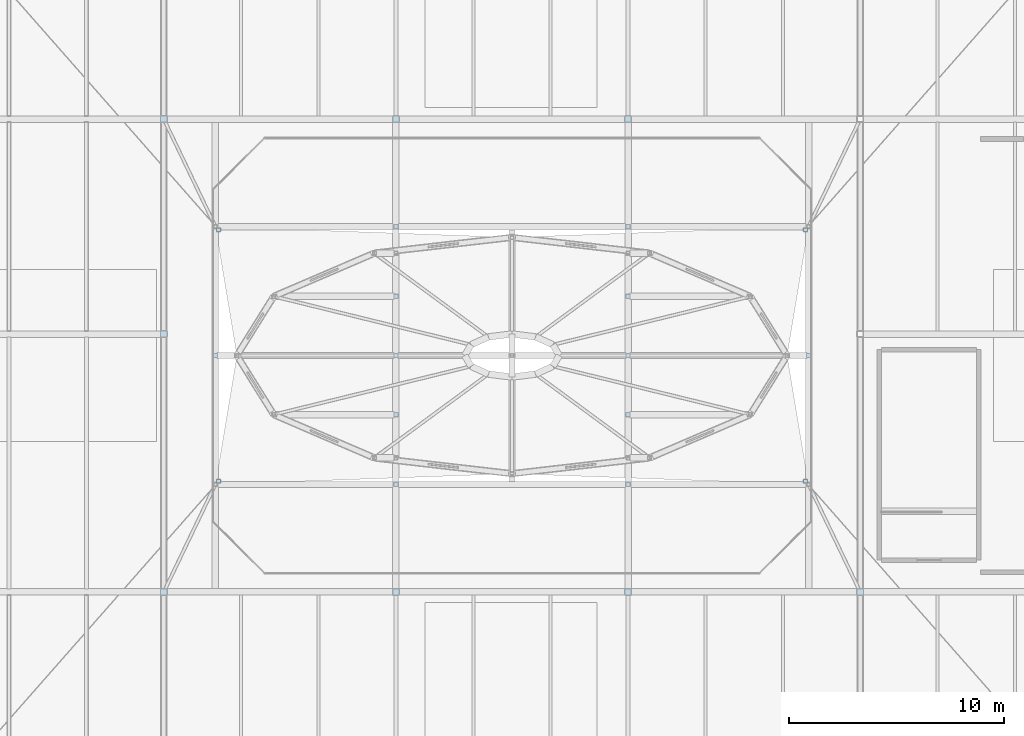
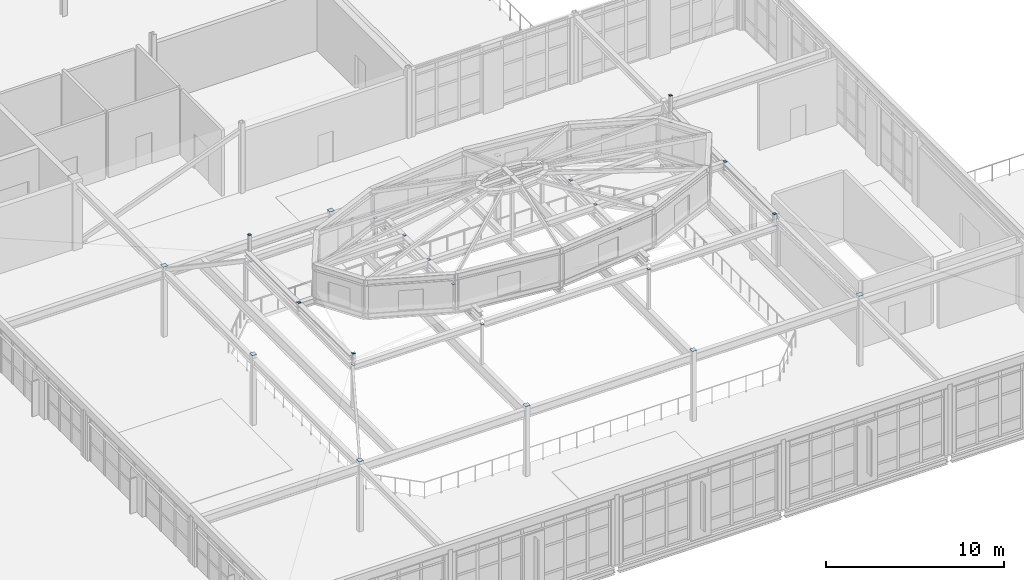
# One storey, part 69 of 86: 28 plates.
"""IFC4 building model written with IfcOpenShell, lengths in metres."""

from ifc_helpers import new_model, si_unit, direction, frame, origin, origin_2d, place, context, subcontext, project, spatial, rectangle, extrude, material, layer, layer_set, type_object, element, save


model = new_model("IFC4")

# Units and contexts
model_context = context("Model", 3, precision=1e-05, world=origin(), true_north=direction((0.0, 1.0)))
body_context = subcontext(model_context, "Body", "Model", "MODEL_VIEW")
ifc_project = project(units=[si_unit("LENGTHUNIT", "METRE"), si_unit("AREAUNIT", "SQUARE_METRE"), si_unit("VOLUMEUNIT", "CUBIC_METRE"), si_unit("PLANEANGLEUNIT", "RADIAN"), si_unit("MASSUNIT", "GRAM", prefix="KILO")], contexts=[model_context])

# Site, building, storey
site_placement = place(None, origin())
site = spatial("IfcSite", under=ifc_project, at=site_placement, CompositionType="ELEMENT")
building_placement = place(site_placement, origin())
building = spatial("IfcBuilding", under=site, at=building_placement, Name="Tasgan Crest Museum", CompositionType="ELEMENT")
storey_placement = place(building_placement, frame((0.0, 0.0, 24.0)))
storey = spatial("IfcBuildingStorey", under=building, at=storey_placement, Name="L04", CompositionType="ELEMENT", Elevation=24.0)

# Plates
ifc_material_1 = material(Name="Steel S355K2", Category="steel")
ifc_layer_1 = layer(ifc_material_1, 0.179931640625, Name="PL-CAP-180x180x10")
ifc_layer_set_1 = layer_set([ifc_layer_1], Name="Steel S355K2")
plate_type_1 = type_object("IfcPlateType", Name="PL-CAP-180x180x10", PredefinedType="USERDEFINED", material=ifc_layer_set_1)
for number, where, z_axis, x_axis, name in (
    (1, (94.64990234375, 66.85009765625, 7.31005859375), (0.0, 0.0, 1.0), (1.0, 0.0, 0.0), "End plate Lantern oculus post NE end A"),
    (2, (94.64990234375, 66.85009765625, 9.14990234375), (0.0, 0.0, 1.0), (1.0, 0.0, 0.0), "End plate Lantern oculus post NE end B"),
    (3, (67.35009765625, 66.85009765625, 7.31005859375), (0.0, 0.0, 1.0), (1.0, 0.0, 0.0), "End plate Lantern oculus post NW end A"),
    (4, (67.35009765625, 66.85009765625, 9.14990234375), (0.0, 0.0, 1.0), (1.0, 0.0, 0.0), "End plate Lantern oculus post NW end B"),
    (5, (94.64990234375, 55.14990234375, 7.31005859375), (0.0, 0.0, 1.0), (1.0, 0.0, 0.0), "End plate Lantern oculus post SE end A"),
    (6, (94.64990234375, 55.14990234375, 8.1201171875), (0.0, 0.0, 1.0), (1.0, 0.0, 0.0), "End plate Lantern oculus post SE end B"),
    (7, (67.35009765625, 55.14990234375, 7.31005859375), (0.0, 0.0, 1.0), (1.0, 0.0, 0.0), "End plate Lantern oculus post SW end A"),
    (8, (67.35009765625, 55.14990234375, 8.1201171875), (0.0, 0.0, 1.0), (1.0, 0.0, 0.0), "End plate Lantern oculus post SW end B"),
    (9, (75.60009765625, 67.0, 7.31982421875), (0.0, 0.0, 1.0), (1.0, 0.0, 0.0), "End plate Winter-garden lantern post X=75.6 N end B"),
    (10, (75.60009765625, 55.0, 7.31982421875), (0.0, 0.0, 1.0), (1.0, 0.0, 0.0), "End plate Winter-garden lantern post X=75.6 S end B"),
    (11, (86.39990234375, 67.0, 7.31982421875), (0.0, 0.0, 1.0), (1.0, 0.0, 0.0), "End plate Winter-garden lantern post X=86.4 N end B"),
    (12, (86.39990234375, 55.0, 7.31982421875), (0.0, 0.0, 1.0), (1.0, 0.0, 0.0), "End plate Winter-garden lantern post X=86.4 S end B"),
    (13, (75.60009765625, 61.0, 8.10009765625), (0.0, 0.0, 1.0), (1.0, 0.0, 0.0), "End plate Rotunda spine post X=75.6 end B"),
    (14, (86.39990234375, 61.0, 8.10009765625), (0.0, 0.0, 1.0), (1.0, 0.0, 0.0), "End plate Rotunda spine post X=86.4 end B"),
    (15, (94.800048828125, 61.0, 8.10009765625), (0.0, 0.0, 1.0), (1.0, 0.0, 0.0), "End plate Rotunda collar support post 1 end B"),
    (16, (86.39990234375, 63.75, 8.10009765625), (0.0, 0.0, 1.0), (1.0, 0.0, 0.0), "End plate Rotunda collar support post 2 end B"),
    (17, (75.60009765625, 63.75, 8.10009765625), (0.0, 0.0, 1.0), (1.0, 0.0, 0.0), "End plate Rotunda collar support post 6 end B"),
    (18, (67.199951171875, 61.0, 8.10009765625), (0.0, 0.0, 1.0), (1.0, 0.0, 0.0), "End plate Rotunda collar support post 7 end B"),
    (19, (75.60009765625, 58.25, 8.10009765625), (0.0, 0.0, 1.0), (1.0, 0.0, 0.0), "End plate Rotunda collar support post 8 end B"),
    (20, (86.39990234375, 58.25, 8.10009765625), (0.0, 0.0, 1.0), (1.0, 0.0, 0.0), "End plate Rotunda collar support post 12 end B"),
):
    element("IfcPlate", number, at=place(storey_placement, frame(where, z_axis=z_axis, x_axis=x_axis)), inside=storey, type_object=plate_type_1, Name=name, ObjectType="END PLATE", PredefinedType="USERDEFINED", context=body_context, shape_type="SweptSolid", body=[
        extrude(rectangle(XDim=0.179931640625, YDim=0.179931640625, at=origin_2d()), origin(), (0.0, 0.0, 1.0), 0.010009765625),
    ])
ifc_material_2 = material(Name="Steel S355K2", Category="steel")
ifc_layer_2 = layer(ifc_material_2, 0.300048828125, Name="PL-CAP-300x300x16")
ifc_layer_set_2 = layer_set([ifc_layer_2], Name="Steel S355K2")
plate_type_2 = type_object("IfcPlateType", Name="PL-CAP-300x300x16", PredefinedType="USERDEFINED", material=ifc_layer_set_2)
for number, where, z_axis, x_axis, name in (
    (21, (97.199951171875, 50.0, 4.800048828125), (0.0, 0.0, 1.0), (1.0, 0.0, 0.0), "End plate Column 10/F L04 end B"),
    (22, (64.800048828125, 50.0, 4.800048828125), (0.0, 0.0, 1.0), (1.0, 0.0, 0.0), "End plate Column 7/F L04 end B"),
    (23, (64.800048828125, 62.0, 4.800048828125), (0.0, 0.0, 1.0), (1.0, 0.0, 0.0), "End plate Column 7/G L04 end B"),
    (24, (64.800048828125, 72.0, 4.800048828125), (0.0, 0.0, 1.0), (1.0, 0.0, 0.0), "End plate Column 7/H L04 end B"),
    (25, (75.60009765625, 50.0, 4.800048828125), (0.0, 0.0, 1.0), (1.0, 0.0, 0.0), "End plate Column 8/F L04 end B"),
    (26, (75.60009765625, 72.0, 4.800048828125), (0.0, 0.0, 1.0), (1.0, 0.0, 0.0), "End plate Column 8/H L04 end B"),
    (27, (86.39990234375, 50.0, 4.800048828125), (0.0, 0.0, 1.0), (1.0, 0.0, 0.0), "End plate Column 9/F L04 end B"),
    (28, (86.39990234375, 72.0, 4.800048828125), (0.0, 0.0, 1.0), (1.0, 0.0, 0.0), "End plate Column 9/H L04 end B"),
):
    element("IfcPlate", number, at=place(storey_placement, frame(where, z_axis=z_axis, x_axis=x_axis)), inside=storey, type_object=plate_type_2, Name=name, ObjectType="END PLATE", PredefinedType="USERDEFINED", context=body_context, shape_type="SweptSolid", body=[
        extrude(rectangle(XDim=0.300048828125, YDim=0.300048828125, at=origin_2d()), origin(), (0.0, 0.0, 1.0), 0.01611328125),
    ])

save(model, "model.ifc")
